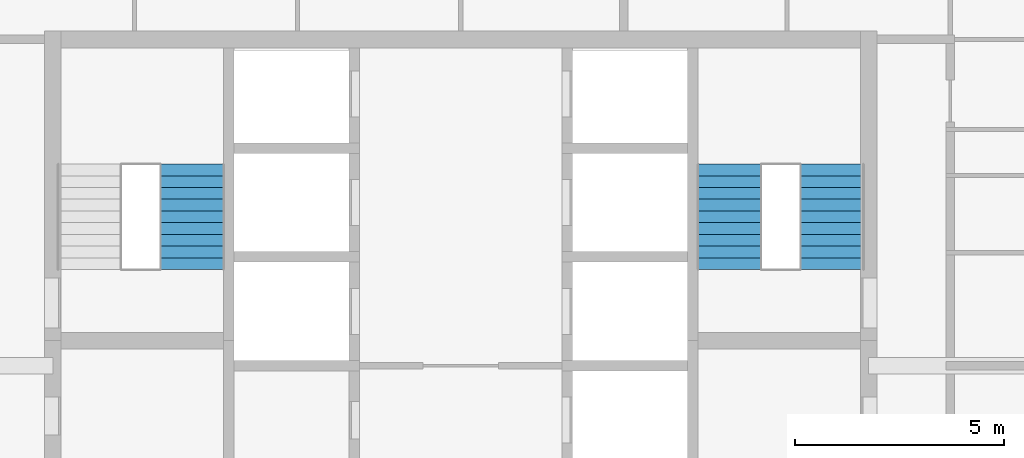
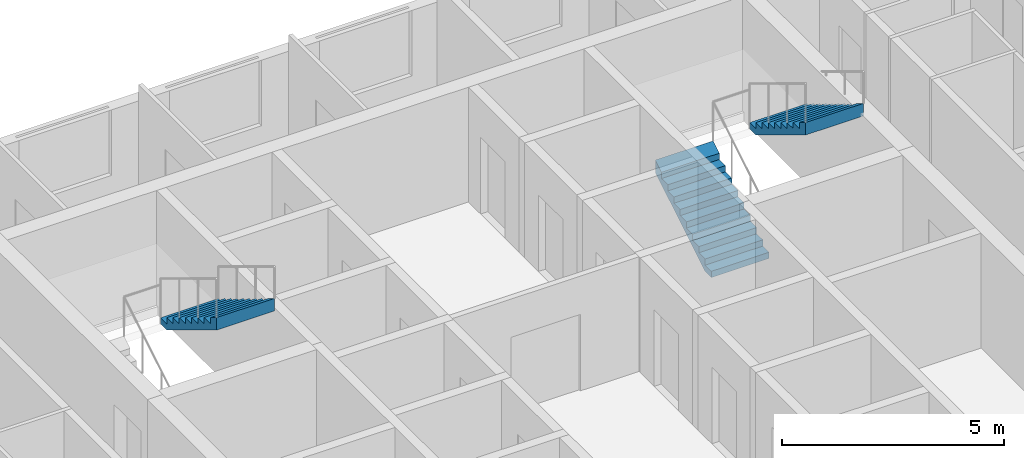
# One storey, part 14 of 17: 3 stair flights, 2 elements without a shape of their own.
"""IFC4 building model written with IfcOpenShell, lengths in metres."""

from ifc_helpers import new_model, si_unit, direction, frame, origin, place, context, subcontext, project, spatial, triangles, material, type_object, element, aggregate, save


model = new_model("IFC4")

# Units and contexts
model_context = context("Model", 3, precision=1e-05, world=origin(), true_north=direction((0.0, 1.0)))
body_context = subcontext(model_context, "Body", "Model", "MODEL_VIEW")
ifc_project = project(units=[si_unit("LENGTHUNIT", "METRE"), si_unit("AREAUNIT", "SQUARE_METRE"), si_unit("VOLUMEUNIT", "CUBIC_METRE"), si_unit("PLANEANGLEUNIT", "RADIAN"), si_unit("MASSUNIT", "GRAM", prefix="KILO")], contexts=[model_context])

# Site, building, storey
site_placement = place(None, origin())
site = spatial("IfcSite", under=ifc_project, at=site_placement, CompositionType="ELEMENT")
building_placement = place(site_placement, origin())
building = spatial("IfcBuilding", under=site, at=building_placement, Name="Ludao Terraces", CompositionType="ELEMENT")
storey_placement = place(building_placement, frame((0.0, 0.0, 231.300048828125)))
storey = spatial("IfcBuildingStorey", under=building, at=storey_placement, Name="L63", CompositionType="ELEMENT", Elevation=231.300048828125)

# Stair, stair flight
ifc_material = material(Name="Concrete C40", Category="concrete")
stair_type = type_object("IfcStairType", Name="INT Stair", PredefinedType="HALF_TURN_STAIR", material=ifc_material)
stair_1_placement = place(storey_placement, origin())
stair_1 = element("IfcStair", 1, at=stair_1_placement, inside=storey, type_object=stair_type, Name="EXIT STAIR 1", PredefinedType="HALF_TURN_STAIR")
stair_flight_type = type_object("IfcStairFlightType", Name="INT Stair flight", PredefinedType="STRAIGHT", material=ifc_material)
stair_flight_1_placement = place(storey_placement, frame((78.574951171875, 81.52001953125, 1.699951171875), z_axis=(0.0, 0.0, 1.0), x_axis=(0.0, -1.0, 0.0)))
stair_flight_1 = element("IfcStairFlight", 2, at=stair_flight_1_placement, type_object=stair_flight_type, Name="ST1 flight 2", NumberOfRisers=10, NumberOfTreads=9, PredefinedType="STRAIGHT", RiserHeight=0.17, TreadLength=0.28, context=body_context, shape_type="Tessellation", body=[
    triangles([(0.0, -0.75, 0.0), (0.0, -0.5, 0.0), (0.0, -0.25, 0.0), (0.0, 0.0, 0.0), (0.0, 0.25, 0.0), (0.0, 0.5, 0.0), (0.0, 0.75, 0.0), (0.0, -0.75, 0.169921875), (0.0, -0.5, 0.169921875), (0.0, -0.25, 0.169921875), (0.0, 0.0, 0.169921875), (0.0, 0.25, 0.169921875), (0.0, 0.5, 0.169921875), (0.0, 0.75, 0.169921875), (0.280029296875, -0.75, 0.169921875), (0.280029296875, -0.5, 0.169921875), (0.280029296875, -0.25, 0.169921875), (0.280029296875, 0.0, 0.169921875), (0.280029296875, 0.25, 0.169921875), (0.280029296875, 0.5, 0.169921875), (0.280029296875, 0.75, 0.169921875), (0.280029296875, -0.75, 0.340087890625), (0.280029296875, -0.5, 0.340087890625), (0.280029296875, -0.25, 0.340087890625), (0.280029296875, 0.0, 0.340087890625), (0.280029296875, 0.25, 0.340087890625), (0.280029296875, 0.5, 0.340087890625), (0.280029296875, 0.75, 0.340087890625), (0.56005859375, -0.75, 0.340087890625), (0.56005859375, -0.5, 0.340087890625), (0.56005859375, -0.25, 0.340087890625), (0.56005859375, 0.0, 0.340087890625), (0.56005859375, 0.25, 0.340087890625), (0.56005859375, 0.5, 0.340087890625), (0.56005859375, 0.75, 0.340087890625), (0.56005859375, -0.75, 0.510009765625), (0.56005859375, -0.5, 0.510009765625), (0.56005859375, -0.25, 0.510009765625), (0.56005859375, 0.0, 0.510009765625), (0.56005859375, 0.25, 0.510009765625), (0.56005859375, 0.5, 0.510009765625), (0.56005859375, 0.75, 0.510009765625), (0.840087890625, -0.75, 0.510009765625), (0.840087890625, -0.5, 0.510009765625), (0.840087890625, -0.25, 0.510009765625), (0.840087890625, 0.0, 0.510009765625), (0.840087890625, 0.25, 0.510009765625), (0.840087890625, 0.5, 0.510009765625), (0.840087890625, 0.75, 0.510009765625), (0.840087890625, -0.75, 0.679931640625), (0.840087890625, -0.5, 0.679931640625), (0.840087890625, -0.25, 0.679931640625), (0.840087890625, 0.0, 0.679931640625), (0.840087890625, 0.25, 0.679931640625), (0.840087890625, 0.5, 0.679931640625), (0.840087890625, 0.75, 0.679931640625), (1.1201171875, -0.75, 0.679931640625), (1.1201171875, -0.5, 0.679931640625), (1.1201171875, -0.25, 0.679931640625), (1.1201171875, 0.0, 0.679931640625), (1.1201171875, 0.25, 0.679931640625), (1.1201171875, 0.5, 0.679931640625), (1.1201171875, 0.75, 0.679931640625), (1.1201171875, -0.75, 0.85009765625), (1.1201171875, -0.5, 0.85009765625), (1.1201171875, -0.25, 0.85009765625), (1.1201171875, 0.0, 0.85009765625), (1.1201171875, 0.25, 0.85009765625), (1.1201171875, 0.5, 0.85009765625), (1.1201171875, 0.75, 0.85009765625), (1.39990234375, -0.75, 0.85009765625), (1.39990234375, -0.5, 0.85009765625), (1.39990234375, -0.25, 0.85009765625), (1.39990234375, 0.0, 0.85009765625), (1.39990234375, 0.25, 0.85009765625), (1.39990234375, 0.5, 0.85009765625), (1.39990234375, 0.75, 0.85009765625), (1.39990234375, -0.75, 1.02001953125), (1.39990234375, -0.5, 1.02001953125), (1.39990234375, -0.25, 1.02001953125), (1.39990234375, 0.0, 1.02001953125), (1.39990234375, 0.25, 1.02001953125), (1.39990234375, 0.5, 1.02001953125), (1.39990234375, 0.75, 1.02001953125), (1.679931640625, -0.75, 1.02001953125), (1.679931640625, -0.5, 1.02001953125), (1.679931640625, -0.25, 1.02001953125), (1.679931640625, 0.0, 1.02001953125), (1.679931640625, 0.25, 1.02001953125), (1.679931640625, 0.5, 1.02001953125), (1.679931640625, 0.75, 1.02001953125), (1.679931640625, -0.75, 1.18994140625), (1.679931640625, -0.5, 1.18994140625), (1.679931640625, -0.25, 1.18994140625), (1.679931640625, 0.0, 1.18994140625), (1.679931640625, 0.25, 1.18994140625), (1.679931640625, 0.5, 1.18994140625), (1.679931640625, 0.75, 1.18994140625), (1.9599609375, -0.75, 1.18994140625), (1.9599609375, -0.5, 1.18994140625), (1.9599609375, -0.25, 1.18994140625), (1.9599609375, 0.0, 1.18994140625), (1.9599609375, 0.25, 1.18994140625), (1.9599609375, 0.5, 1.18994140625), (1.9599609375, 0.75, 1.18994140625), (1.9599609375, -0.75, 1.360107421875), (1.9599609375, -0.5, 1.360107421875), (1.9599609375, -0.25, 1.360107421875), (1.9599609375, 0.0, 1.360107421875), (1.9599609375, 0.25, 1.360107421875), (1.9599609375, 0.5, 1.360107421875), (1.9599609375, 0.75, 1.360107421875), (2.239990234375, -0.75, 1.360107421875), (2.239990234375, -0.5, 1.360107421875), (2.239990234375, -0.25, 1.360107421875), (2.239990234375, 0.0, 1.360107421875), (2.239990234375, 0.25, 1.360107421875), (2.239990234375, 0.5, 1.360107421875), (2.239990234375, 0.75, 1.360107421875), (2.239990234375, -0.75, 1.530029296875), (2.239990234375, -0.5, 1.530029296875), (2.239990234375, -0.25, 1.530029296875), (2.239990234375, 0.0, 1.530029296875), (2.239990234375, 0.25, 1.530029296875), (2.239990234375, 0.5, 1.530029296875), (2.239990234375, 0.75, 1.530029296875), (2.52001953125, -0.75, 1.699951171875), (2.52001953125, -0.5, 1.699951171875), (2.52001953125, -0.25, 1.699951171875), (2.52001953125, 0.0, 1.699951171875), (2.52001953125, 0.25, 1.699951171875), (2.52001953125, 0.5, 1.699951171875), (2.52001953125, 0.75, 1.699951171875), (2.52001953125, -0.75, 1.354736328125), (2.52001953125, -0.5, 1.354736328125), (2.52001953125, -0.25, 1.354736328125), (2.52001953125, 0.0, 1.354736328125), (2.52001953125, 0.25, 1.354736328125), (2.52001953125, 0.5, 1.354736328125), (2.52001953125, 0.75, 1.354736328125), (0.288818359375, -0.75, 0.0), (0.288818359375, -0.5, 0.0), (0.288818359375, -0.25, 0.0), (0.288818359375, 0.0, 0.0), (0.288818359375, 0.25, 0.0), (0.288818359375, 0.5, 0.0), (0.288818359375, 0.75, 0.0)], [[1, 141, 134], [7, 140, 147], [134, 127, 120], [140, 126, 133], [134, 120, 113], [140, 119, 126], [134, 113, 106], [140, 112, 119], [134, 106, 99], [140, 105, 112], [99, 92, 85], [105, 91, 98], [134, 99, 85], [140, 91, 105], [85, 78, 71], [91, 77, 84], [134, 85, 71], [140, 77, 91], [71, 64, 57], [77, 63, 70], [134, 71, 57], [140, 63, 77], [57, 50, 43], [63, 49, 56], [134, 57, 43], [140, 49, 63], [43, 36, 29], [49, 35, 42], [134, 43, 29], [140, 35, 49], [29, 22, 15], [35, 21, 28], [134, 29, 15], [140, 21, 35], [1, 134, 15], [7, 21, 140], [15, 8, 1], [21, 7, 14], [1, 9, 2], [1, 8, 9], [2, 10, 3], [2, 9, 10], [3, 11, 4], [3, 10, 11], [4, 12, 5], [4, 11, 12], [5, 13, 6], [5, 12, 13], [6, 14, 7], [6, 13, 14], [8, 16, 9], [8, 15, 16], [9, 17, 10], [9, 16, 17], [10, 18, 11], [10, 17, 18], [11, 19, 12], [11, 18, 19], [12, 20, 13], [12, 19, 20], [13, 21, 14], [13, 20, 21], [15, 23, 16], [15, 22, 23], [16, 24, 17], [16, 23, 24], [17, 25, 18], [17, 24, 25], [18, 26, 19], [18, 25, 26], [19, 27, 20], [19, 26, 27], [20, 28, 21], [20, 27, 28], [22, 30, 23], [22, 29, 30], [23, 31, 24], [23, 30, 31], [24, 32, 25], [24, 31, 32], [25, 33, 26], [25, 32, 33], [26, 34, 27], [26, 33, 34], [27, 35, 28], [27, 34, 35], [29, 37, 30], [29, 36, 37], [30, 38, 31], [30, 37, 38], [31, 39, 32], [31, 38, 39], [32, 40, 33], [32, 39, 40], [33, 41, 34], [33, 40, 41], [34, 42, 35], [34, 41, 42], [36, 44, 37], [36, 43, 44], [37, 45, 38], [37, 44, 45], [38, 46, 39], [38, 45, 46], [39, 47, 40], [39, 46, 47], [40, 48, 41], [40, 47, 48], [41, 49, 42], [41, 48, 49], [43, 51, 44], [43, 50, 51], [44, 52, 45], [44, 51, 52], [45, 53, 46], [45, 52, 53], [46, 54, 47], [46, 53, 54], [47, 55, 48], [47, 54, 55], [48, 56, 49], [48, 55, 56], [50, 58, 51], [50, 57, 58], [51, 59, 52], [51, 58, 59], [52, 60, 53], [52, 59, 60], [53, 61, 54], [53, 60, 61], [54, 62, 55], [54, 61, 62], [55, 63, 56], [55, 62, 63], [57, 65, 58], [57, 64, 65], [58, 66, 59], [58, 65, 66], [59, 67, 60], [59, 66, 67], [60, 68, 61], [60, 67, 68], [61, 69, 62], [61, 68, 69], [62, 70, 63], [62, 69, 70], [64, 72, 65], [64, 71, 72], [65, 73, 66], [65, 72, 73], [66, 74, 67], [66, 73, 74], [67, 75, 68], [67, 74, 75], [68, 76, 69], [68, 75, 76], [69, 77, 70], [69, 76, 77], [71, 79, 72], [71, 78, 79], [72, 80, 73], [72, 79, 80], [73, 81, 74], [73, 80, 81], [74, 82, 75], [74, 81, 82], [75, 83, 76], [75, 82, 83], [76, 84, 77], [76, 83, 84], [78, 86, 79], [78, 85, 86], [79, 87, 80], [79, 86, 87], [80, 88, 81], [80, 87, 88], [81, 89, 82], [81, 88, 89], [82, 90, 83], [82, 89, 90], [83, 91, 84], [83, 90, 91], [85, 93, 86], [85, 92, 93], [86, 94, 87], [86, 93, 94], [87, 95, 88], [87, 94, 95], [88, 96, 89], [88, 95, 96], [89, 97, 90], [89, 96, 97], [90, 98, 91], [90, 97, 98], [92, 100, 93], [92, 99, 100], [93, 101, 94], [93, 100, 101], [94, 102, 95], [94, 101, 102], [95, 103, 96], [95, 102, 103], [96, 104, 97], [96, 103, 104], [97, 105, 98], [97, 104, 105], [99, 107, 100], [99, 106, 107], [100, 108, 101], [100, 107, 108], [101, 109, 102], [101, 108, 109], [102, 110, 103], [102, 109, 110], [103, 111, 104], [103, 110, 111], [104, 112, 105], [104, 111, 112], [106, 114, 107], [106, 113, 114], [107, 115, 108], [107, 114, 115], [108, 116, 109], [108, 115, 116], [109, 117, 110], [109, 116, 117], [110, 118, 111], [110, 117, 118], [111, 119, 112], [111, 118, 119], [113, 121, 114], [113, 120, 121], [114, 122, 115], [114, 121, 122], [115, 123, 116], [115, 122, 123], [116, 124, 117], [116, 123, 124], [117, 125, 118], [117, 124, 125], [118, 126, 119], [118, 125, 126], [120, 128, 121], [120, 127, 128], [121, 129, 122], [121, 128, 129], [122, 130, 123], [122, 129, 130], [123, 131, 124], [123, 130, 131], [124, 132, 125], [124, 131, 132], [125, 133, 126], [125, 132, 133], [127, 135, 128], [127, 134, 135], [128, 136, 129], [128, 135, 136], [129, 137, 130], [129, 136, 137], [130, 138, 131], [130, 137, 138], [131, 139, 132], [131, 138, 139], [132, 140, 133], [132, 139, 140], [134, 142, 135], [134, 141, 142], [135, 143, 136], [135, 142, 143], [136, 144, 137], [136, 143, 144], [137, 145, 138], [137, 144, 145], [138, 146, 139], [138, 145, 146], [139, 147, 140], [139, 146, 147], [141, 2, 142], [141, 1, 2], [142, 3, 143], [142, 2, 3], [143, 4, 144], [143, 3, 4], [144, 5, 145], [144, 4, 5], [145, 6, 146], [145, 5, 6], [146, 7, 147], [146, 6, 7]], closed=True),
])
aggregate(stair_1, [stair_flight_1])

# Stair, stair flights
stair_2_placement = place(storey_placement, origin())
stair_2 = element("IfcStair", 3, at=stair_2_placement, inside=storey, type_object=stair_type, Name="EXIT STAIR 2", PredefinedType="HALF_TURN_STAIR")
stair_flight_2_placement = place(storey_placement, frame((91.425048828125, 79.0, 0.0), z_axis=(0.0, 0.0, 1.0), x_axis=(0.0, 1.0, 0.0)))
stair_flight_2 = element("IfcStairFlight", 4, at=stair_flight_2_placement, type_object=stair_flight_type, Name="ST2 flight 1", NumberOfRisers=10, NumberOfTreads=9, PredefinedType="STRAIGHT", RiserHeight=0.17, TreadLength=0.28, context=body_context, shape_type="Tessellation", body=[
    triangles([(0.0, -0.75, 0.0), (0.0, -0.5, 0.0), (0.0, -0.25, 0.0), (0.0, 0.0, 0.0), (0.0, 0.25, 0.0), (0.0, 0.5, 0.0), (0.0, 0.75, 0.0), (0.0, -0.75, 0.169921875), (0.0, -0.5, 0.169921875), (0.0, -0.25, 0.169921875), (0.0, 0.0, 0.169921875), (0.0, 0.25, 0.169921875), (0.0, 0.5, 0.169921875), (0.0, 0.75, 0.169921875), (0.280029296875, -0.75, 0.169921875), (0.280029296875, -0.5, 0.169921875), (0.280029296875, -0.25, 0.169921875), (0.280029296875, 0.0, 0.169921875), (0.280029296875, 0.25, 0.169921875), (0.280029296875, 0.5, 0.169921875), (0.280029296875, 0.75, 0.169921875), (0.280029296875, -0.75, 0.340087890625), (0.280029296875, -0.5, 0.340087890625), (0.280029296875, -0.25, 0.340087890625), (0.280029296875, 0.0, 0.340087890625), (0.280029296875, 0.25, 0.340087890625), (0.280029296875, 0.5, 0.340087890625), (0.280029296875, 0.75, 0.340087890625), (0.56005859375, -0.75, 0.340087890625), (0.56005859375, -0.5, 0.340087890625), (0.56005859375, -0.25, 0.340087890625), (0.56005859375, 0.0, 0.340087890625), (0.56005859375, 0.25, 0.340087890625), (0.56005859375, 0.5, 0.340087890625), (0.56005859375, 0.75, 0.340087890625), (0.56005859375, -0.75, 0.510009765625), (0.56005859375, -0.5, 0.510009765625), (0.56005859375, -0.25, 0.510009765625), (0.56005859375, 0.0, 0.510009765625), (0.56005859375, 0.25, 0.510009765625), (0.56005859375, 0.5, 0.510009765625), (0.56005859375, 0.75, 0.510009765625), (0.840087890625, -0.75, 0.510009765625), (0.840087890625, -0.5, 0.510009765625), (0.840087890625, -0.25, 0.510009765625), (0.840087890625, 0.0, 0.510009765625), (0.840087890625, 0.25, 0.510009765625), (0.840087890625, 0.5, 0.510009765625), (0.840087890625, 0.75, 0.510009765625), (0.840087890625, -0.75, 0.679931640625), (0.840087890625, -0.5, 0.679931640625), (0.840087890625, -0.25, 0.679931640625), (0.840087890625, 0.0, 0.679931640625), (0.840087890625, 0.25, 0.679931640625), (0.840087890625, 0.5, 0.679931640625), (0.840087890625, 0.75, 0.679931640625), (1.1201171875, -0.75, 0.679931640625), (1.1201171875, -0.5, 0.679931640625), (1.1201171875, -0.25, 0.679931640625), (1.1201171875, 0.0, 0.679931640625), (1.1201171875, 0.25, 0.679931640625), (1.1201171875, 0.5, 0.679931640625), (1.1201171875, 0.75, 0.679931640625), (1.1201171875, -0.75, 0.85009765625), (1.1201171875, -0.5, 0.85009765625), (1.1201171875, -0.25, 0.85009765625), (1.1201171875, 0.0, 0.85009765625), (1.1201171875, 0.25, 0.85009765625), (1.1201171875, 0.5, 0.85009765625), (1.1201171875, 0.75, 0.85009765625), (1.39990234375, -0.75, 0.85009765625), (1.39990234375, -0.5, 0.85009765625), (1.39990234375, -0.25, 0.85009765625), (1.39990234375, 0.0, 0.85009765625), (1.39990234375, 0.25, 0.85009765625), (1.39990234375, 0.5, 0.85009765625), (1.39990234375, 0.75, 0.85009765625), (1.39990234375, -0.75, 1.02001953125), (1.39990234375, -0.5, 1.02001953125), (1.39990234375, -0.25, 1.02001953125), (1.39990234375, 0.0, 1.02001953125), (1.39990234375, 0.25, 1.02001953125), (1.39990234375, 0.5, 1.02001953125), (1.39990234375, 0.75, 1.02001953125), (1.679931640625, -0.75, 1.02001953125), (1.679931640625, -0.5, 1.02001953125), (1.679931640625, -0.25, 1.02001953125), (1.679931640625, 0.0, 1.02001953125), (1.679931640625, 0.25, 1.02001953125), (1.679931640625, 0.5, 1.02001953125), (1.679931640625, 0.75, 1.02001953125), (1.679931640625, -0.75, 1.18994140625), (1.679931640625, -0.5, 1.18994140625), (1.679931640625, -0.25, 1.18994140625), (1.679931640625, 0.0, 1.18994140625), (1.679931640625, 0.25, 1.18994140625), (1.679931640625, 0.5, 1.18994140625), (1.679931640625, 0.75, 1.18994140625), (1.9599609375, -0.75, 1.18994140625), (1.9599609375, -0.5, 1.18994140625), (1.9599609375, -0.25, 1.18994140625), (1.9599609375, 0.0, 1.18994140625), (1.9599609375, 0.25, 1.18994140625), (1.9599609375, 0.5, 1.18994140625), (1.9599609375, 0.75, 1.18994140625), (1.9599609375, -0.75, 1.360107421875), (1.9599609375, -0.5, 1.360107421875), (1.9599609375, -0.25, 1.360107421875), (1.9599609375, 0.0, 1.360107421875), (1.9599609375, 0.25, 1.360107421875), (1.9599609375, 0.5, 1.360107421875), (1.9599609375, 0.75, 1.360107421875), (2.239990234375, -0.75, 1.360107421875), (2.239990234375, -0.5, 1.360107421875), (2.239990234375, -0.25, 1.360107421875), (2.239990234375, 0.0, 1.360107421875), (2.239990234375, 0.25, 1.360107421875), (2.239990234375, 0.5, 1.360107421875), (2.239990234375, 0.75, 1.360107421875), (2.239990234375, -0.75, 1.530029296875), (2.239990234375, -0.5, 1.530029296875), (2.239990234375, -0.25, 1.530029296875), (2.239990234375, 0.0, 1.530029296875), (2.239990234375, 0.25, 1.530029296875), (2.239990234375, 0.5, 1.530029296875), (2.239990234375, 0.75, 1.530029296875), (2.52001953125, -0.75, 1.699951171875), (2.52001953125, -0.5, 1.699951171875), (2.52001953125, -0.25, 1.699951171875), (2.52001953125, 0.0, 1.699951171875), (2.52001953125, 0.25, 1.699951171875), (2.52001953125, 0.5, 1.699951171875), (2.52001953125, 0.75, 1.699951171875), (2.52001953125, -0.75, 1.354736328125), (2.52001953125, -0.5, 1.354736328125), (2.52001953125, -0.25, 1.354736328125), (2.52001953125, 0.0, 1.354736328125), (2.52001953125, 0.25, 1.354736328125), (2.52001953125, 0.5, 1.354736328125), (2.52001953125, 0.75, 1.354736328125), (0.288818359375, -0.75, 0.0), (0.288818359375, -0.5, 0.0), (0.288818359375, -0.25, 0.0), (0.288818359375, 0.0, 0.0), (0.288818359375, 0.25, 0.0), (0.288818359375, 0.5, 0.0), (0.288818359375, 0.75, 0.0)], [[1, 141, 134], [7, 140, 147], [134, 127, 120], [140, 126, 133], [134, 120, 113], [140, 119, 126], [134, 113, 106], [140, 112, 119], [134, 106, 99], [140, 105, 112], [99, 92, 85], [105, 91, 98], [134, 99, 85], [140, 91, 105], [85, 78, 71], [91, 77, 84], [134, 85, 71], [140, 77, 91], [71, 64, 57], [77, 63, 70], [134, 71, 57], [140, 63, 77], [57, 50, 43], [63, 49, 56], [134, 57, 43], [140, 49, 63], [43, 36, 29], [49, 35, 42], [134, 43, 29], [140, 35, 49], [29, 22, 15], [35, 21, 28], [134, 29, 15], [140, 21, 35], [1, 134, 15], [7, 21, 140], [15, 8, 1], [21, 7, 14], [1, 9, 2], [1, 8, 9], [2, 10, 3], [2, 9, 10], [3, 11, 4], [3, 10, 11], [4, 12, 5], [4, 11, 12], [5, 13, 6], [5, 12, 13], [6, 14, 7], [6, 13, 14], [8, 16, 9], [8, 15, 16], [9, 17, 10], [9, 16, 17], [10, 18, 11], [10, 17, 18], [11, 19, 12], [11, 18, 19], [12, 20, 13], [12, 19, 20], [13, 21, 14], [13, 20, 21], [15, 23, 16], [15, 22, 23], [16, 24, 17], [16, 23, 24], [17, 25, 18], [17, 24, 25], [18, 26, 19], [18, 25, 26], [19, 27, 20], [19, 26, 27], [20, 28, 21], [20, 27, 28], [22, 30, 23], [22, 29, 30], [23, 31, 24], [23, 30, 31], [24, 32, 25], [24, 31, 32], [25, 33, 26], [25, 32, 33], [26, 34, 27], [26, 33, 34], [27, 35, 28], [27, 34, 35], [29, 37, 30], [29, 36, 37], [30, 38, 31], [30, 37, 38], [31, 39, 32], [31, 38, 39], [32, 40, 33], [32, 39, 40], [33, 41, 34], [33, 40, 41], [34, 42, 35], [34, 41, 42], [36, 44, 37], [36, 43, 44], [37, 45, 38], [37, 44, 45], [38, 46, 39], [38, 45, 46], [39, 47, 40], [39, 46, 47], [40, 48, 41], [40, 47, 48], [41, 49, 42], [41, 48, 49], [43, 51, 44], [43, 50, 51], [44, 52, 45], [44, 51, 52], [45, 53, 46], [45, 52, 53], [46, 54, 47], [46, 53, 54], [47, 55, 48], [47, 54, 55], [48, 56, 49], [48, 55, 56], [50, 58, 51], [50, 57, 58], [51, 59, 52], [51, 58, 59], [52, 60, 53], [52, 59, 60], [53, 61, 54], [53, 60, 61], [54, 62, 55], [54, 61, 62], [55, 63, 56], [55, 62, 63], [57, 65, 58], [57, 64, 65], [58, 66, 59], [58, 65, 66], [59, 67, 60], [59, 66, 67], [60, 68, 61], [60, 67, 68], [61, 69, 62], [61, 68, 69], [62, 70, 63], [62, 69, 70], [64, 72, 65], [64, 71, 72], [65, 73, 66], [65, 72, 73], [66, 74, 67], [66, 73, 74], [67, 75, 68], [67, 74, 75], [68, 76, 69], [68, 75, 76], [69, 77, 70], [69, 76, 77], [71, 79, 72], [71, 78, 79], [72, 80, 73], [72, 79, 80], [73, 81, 74], [73, 80, 81], [74, 82, 75], [74, 81, 82], [75, 83, 76], [75, 82, 83], [76, 84, 77], [76, 83, 84], [78, 86, 79], [78, 85, 86], [79, 87, 80], [79, 86, 87], [80, 88, 81], [80, 87, 88], [81, 89, 82], [81, 88, 89], [82, 90, 83], [82, 89, 90], [83, 91, 84], [83, 90, 91], [85, 93, 86], [85, 92, 93], [86, 94, 87], [86, 93, 94], [87, 95, 88], [87, 94, 95], [88, 96, 89], [88, 95, 96], [89, 97, 90], [89, 96, 97], [90, 98, 91], [90, 97, 98], [92, 100, 93], [92, 99, 100], [93, 101, 94], [93, 100, 101], [94, 102, 95], [94, 101, 102], [95, 103, 96], [95, 102, 103], [96, 104, 97], [96, 103, 104], [97, 105, 98], [97, 104, 105], [99, 107, 100], [99, 106, 107], [100, 108, 101], [100, 107, 108], [101, 109, 102], [101, 108, 109], [102, 110, 103], [102, 109, 110], [103, 111, 104], [103, 110, 111], [104, 112, 105], [104, 111, 112], [106, 114, 107], [106, 113, 114], [107, 115, 108], [107, 114, 115], [108, 116, 109], [108, 115, 116], [109, 117, 110], [109, 116, 117], [110, 118, 111], [110, 117, 118], [111, 119, 112], [111, 118, 119], [113, 121, 114], [113, 120, 121], [114, 122, 115], [114, 121, 122], [115, 123, 116], [115, 122, 123], [116, 124, 117], [116, 123, 124], [117, 125, 118], [117, 124, 125], [118, 126, 119], [118, 125, 126], [120, 128, 121], [120, 127, 128], [121, 129, 122], [121, 128, 129], [122, 130, 123], [122, 129, 130], [123, 131, 124], [123, 130, 131], [124, 132, 125], [124, 131, 132], [125, 133, 126], [125, 132, 133], [127, 135, 128], [127, 134, 135], [128, 136, 129], [128, 135, 136], [129, 137, 130], [129, 136, 137], [130, 138, 131], [130, 137, 138], [131, 139, 132], [131, 138, 139], [132, 140, 133], [132, 139, 140], [134, 142, 135], [134, 141, 142], [135, 143, 136], [135, 142, 143], [136, 144, 137], [136, 143, 144], [137, 145, 138], [137, 144, 145], [138, 146, 139], [138, 145, 146], [139, 147, 140], [139, 146, 147], [141, 2, 142], [141, 1, 2], [142, 3, 143], [142, 2, 3], [143, 4, 144], [143, 3, 4], [144, 5, 145], [144, 4, 5], [145, 6, 146], [145, 5, 6], [146, 7, 147], [146, 6, 7]], closed=True),
])
stair_flight_3_placement = place(storey_placement, frame((93.875, 81.52001953125, 1.699951171875), z_axis=(0.0, 0.0, 1.0), x_axis=(0.0, -1.0, 0.0)))
stair_flight_3 = element("IfcStairFlight", 5, at=stair_flight_3_placement, type_object=stair_flight_type, Name="ST2 flight 2", NumberOfRisers=10, NumberOfTreads=9, PredefinedType="STRAIGHT", RiserHeight=0.17, TreadLength=0.28, context=body_context, shape_type="Tessellation", body=[
    triangles([(0.0, -0.75, 0.0), (0.0, -0.5, 0.0), (0.0, -0.25, 0.0), (0.0, 0.0, 0.0), (0.0, 0.25, 0.0), (0.0, 0.5, 0.0), (0.0, 0.75, 0.0), (0.0, -0.75, 0.169921875), (0.0, -0.5, 0.169921875), (0.0, -0.25, 0.169921875), (0.0, 0.0, 0.169921875), (0.0, 0.25, 0.169921875), (0.0, 0.5, 0.169921875), (0.0, 0.75, 0.169921875), (0.280029296875, -0.75, 0.169921875), (0.280029296875, -0.5, 0.169921875), (0.280029296875, -0.25, 0.169921875), (0.280029296875, 0.0, 0.169921875), (0.280029296875, 0.25, 0.169921875), (0.280029296875, 0.5, 0.169921875), (0.280029296875, 0.75, 0.169921875), (0.280029296875, -0.75, 0.340087890625), (0.280029296875, -0.5, 0.340087890625), (0.280029296875, -0.25, 0.340087890625), (0.280029296875, 0.0, 0.340087890625), (0.280029296875, 0.25, 0.340087890625), (0.280029296875, 0.5, 0.340087890625), (0.280029296875, 0.75, 0.340087890625), (0.56005859375, -0.75, 0.340087890625), (0.56005859375, -0.5, 0.340087890625), (0.56005859375, -0.25, 0.340087890625), (0.56005859375, 0.0, 0.340087890625), (0.56005859375, 0.25, 0.340087890625), (0.56005859375, 0.5, 0.340087890625), (0.56005859375, 0.75, 0.340087890625), (0.56005859375, -0.75, 0.510009765625), (0.56005859375, -0.5, 0.510009765625), (0.56005859375, -0.25, 0.510009765625), (0.56005859375, 0.0, 0.510009765625), (0.56005859375, 0.25, 0.510009765625), (0.56005859375, 0.5, 0.510009765625), (0.56005859375, 0.75, 0.510009765625), (0.840087890625, -0.75, 0.510009765625), (0.840087890625, -0.5, 0.510009765625), (0.840087890625, -0.25, 0.510009765625), (0.840087890625, 0.0, 0.510009765625), (0.840087890625, 0.25, 0.510009765625), (0.840087890625, 0.5, 0.510009765625), (0.840087890625, 0.75, 0.510009765625), (0.840087890625, -0.75, 0.679931640625), (0.840087890625, -0.5, 0.679931640625), (0.840087890625, -0.25, 0.679931640625), (0.840087890625, 0.0, 0.679931640625), (0.840087890625, 0.25, 0.679931640625), (0.840087890625, 0.5, 0.679931640625), (0.840087890625, 0.75, 0.679931640625), (1.1201171875, -0.75, 0.679931640625), (1.1201171875, -0.5, 0.679931640625), (1.1201171875, -0.25, 0.679931640625), (1.1201171875, 0.0, 0.679931640625), (1.1201171875, 0.25, 0.679931640625), (1.1201171875, 0.5, 0.679931640625), (1.1201171875, 0.75, 0.679931640625), (1.1201171875, -0.75, 0.85009765625), (1.1201171875, -0.5, 0.85009765625), (1.1201171875, -0.25, 0.85009765625), (1.1201171875, 0.0, 0.85009765625), (1.1201171875, 0.25, 0.85009765625), (1.1201171875, 0.5, 0.85009765625), (1.1201171875, 0.75, 0.85009765625), (1.39990234375, -0.75, 0.85009765625), (1.39990234375, -0.5, 0.85009765625), (1.39990234375, -0.25, 0.85009765625), (1.39990234375, 0.0, 0.85009765625), (1.39990234375, 0.25, 0.85009765625), (1.39990234375, 0.5, 0.85009765625), (1.39990234375, 0.75, 0.85009765625), (1.39990234375, -0.75, 1.02001953125), (1.39990234375, -0.5, 1.02001953125), (1.39990234375, -0.25, 1.02001953125), (1.39990234375, 0.0, 1.02001953125), (1.39990234375, 0.25, 1.02001953125), (1.39990234375, 0.5, 1.02001953125), (1.39990234375, 0.75, 1.02001953125), (1.679931640625, -0.75, 1.02001953125), (1.679931640625, -0.5, 1.02001953125), (1.679931640625, -0.25, 1.02001953125), (1.679931640625, 0.0, 1.02001953125), (1.679931640625, 0.25, 1.02001953125), (1.679931640625, 0.5, 1.02001953125), (1.679931640625, 0.75, 1.02001953125), (1.679931640625, -0.75, 1.18994140625), (1.679931640625, -0.5, 1.18994140625), (1.679931640625, -0.25, 1.18994140625), (1.679931640625, 0.0, 1.18994140625), (1.679931640625, 0.25, 1.18994140625), (1.679931640625, 0.5, 1.18994140625), (1.679931640625, 0.75, 1.18994140625), (1.9599609375, -0.75, 1.18994140625), (1.9599609375, -0.5, 1.18994140625), (1.9599609375, -0.25, 1.18994140625), (1.9599609375, 0.0, 1.18994140625), (1.9599609375, 0.25, 1.18994140625), (1.9599609375, 0.5, 1.18994140625), (1.9599609375, 0.75, 1.18994140625), (1.9599609375, -0.75, 1.360107421875), (1.9599609375, -0.5, 1.360107421875), (1.9599609375, -0.25, 1.360107421875), (1.9599609375, 0.0, 1.360107421875), (1.9599609375, 0.25, 1.360107421875), (1.9599609375, 0.5, 1.360107421875), (1.9599609375, 0.75, 1.360107421875), (2.239990234375, -0.75, 1.360107421875), (2.239990234375, -0.5, 1.360107421875), (2.239990234375, -0.25, 1.360107421875), (2.239990234375, 0.0, 1.360107421875), (2.239990234375, 0.25, 1.360107421875), (2.239990234375, 0.5, 1.360107421875), (2.239990234375, 0.75, 1.360107421875), (2.239990234375, -0.75, 1.530029296875), (2.239990234375, -0.5, 1.530029296875), (2.239990234375, -0.25, 1.530029296875), (2.239990234375, 0.0, 1.530029296875), (2.239990234375, 0.25, 1.530029296875), (2.239990234375, 0.5, 1.530029296875), (2.239990234375, 0.75, 1.530029296875), (2.52001953125, -0.75, 1.699951171875), (2.52001953125, -0.5, 1.699951171875), (2.52001953125, -0.25, 1.699951171875), (2.52001953125, 0.0, 1.699951171875), (2.52001953125, 0.25, 1.699951171875), (2.52001953125, 0.5, 1.699951171875), (2.52001953125, 0.75, 1.699951171875), (2.52001953125, -0.75, 1.354736328125), (2.52001953125, -0.5, 1.354736328125), (2.52001953125, -0.25, 1.354736328125), (2.52001953125, 0.0, 1.354736328125), (2.52001953125, 0.25, 1.354736328125), (2.52001953125, 0.5, 1.354736328125), (2.52001953125, 0.75, 1.354736328125), (0.288818359375, -0.75, 0.0), (0.288818359375, -0.5, 0.0), (0.288818359375, -0.25, 0.0), (0.288818359375, 0.0, 0.0), (0.288818359375, 0.25, 0.0), (0.288818359375, 0.5, 0.0), (0.288818359375, 0.75, 0.0)], [[1, 141, 134], [7, 140, 147], [134, 127, 120], [140, 126, 133], [134, 120, 113], [140, 119, 126], [134, 113, 106], [140, 112, 119], [134, 106, 99], [140, 105, 112], [99, 92, 85], [105, 91, 98], [134, 99, 85], [140, 91, 105], [85, 78, 71], [91, 77, 84], [134, 85, 71], [140, 77, 91], [71, 64, 57], [77, 63, 70], [134, 71, 57], [140, 63, 77], [57, 50, 43], [63, 49, 56], [134, 57, 43], [140, 49, 63], [43, 36, 29], [49, 35, 42], [134, 43, 29], [140, 35, 49], [29, 22, 15], [35, 21, 28], [134, 29, 15], [140, 21, 35], [1, 134, 15], [7, 21, 140], [15, 8, 1], [21, 7, 14], [1, 9, 2], [1, 8, 9], [2, 10, 3], [2, 9, 10], [3, 11, 4], [3, 10, 11], [4, 12, 5], [4, 11, 12], [5, 13, 6], [5, 12, 13], [6, 14, 7], [6, 13, 14], [8, 16, 9], [8, 15, 16], [9, 17, 10], [9, 16, 17], [10, 18, 11], [10, 17, 18], [11, 19, 12], [11, 18, 19], [12, 20, 13], [12, 19, 20], [13, 21, 14], [13, 20, 21], [15, 23, 16], [15, 22, 23], [16, 24, 17], [16, 23, 24], [17, 25, 18], [17, 24, 25], [18, 26, 19], [18, 25, 26], [19, 27, 20], [19, 26, 27], [20, 28, 21], [20, 27, 28], [22, 30, 23], [22, 29, 30], [23, 31, 24], [23, 30, 31], [24, 32, 25], [24, 31, 32], [25, 33, 26], [25, 32, 33], [26, 34, 27], [26, 33, 34], [27, 35, 28], [27, 34, 35], [29, 37, 30], [29, 36, 37], [30, 38, 31], [30, 37, 38], [31, 39, 32], [31, 38, 39], [32, 40, 33], [32, 39, 40], [33, 41, 34], [33, 40, 41], [34, 42, 35], [34, 41, 42], [36, 44, 37], [36, 43, 44], [37, 45, 38], [37, 44, 45], [38, 46, 39], [38, 45, 46], [39, 47, 40], [39, 46, 47], [40, 48, 41], [40, 47, 48], [41, 49, 42], [41, 48, 49], [43, 51, 44], [43, 50, 51], [44, 52, 45], [44, 51, 52], [45, 53, 46], [45, 52, 53], [46, 54, 47], [46, 53, 54], [47, 55, 48], [47, 54, 55], [48, 56, 49], [48, 55, 56], [50, 58, 51], [50, 57, 58], [51, 59, 52], [51, 58, 59], [52, 60, 53], [52, 59, 60], [53, 61, 54], [53, 60, 61], [54, 62, 55], [54, 61, 62], [55, 63, 56], [55, 62, 63], [57, 65, 58], [57, 64, 65], [58, 66, 59], [58, 65, 66], [59, 67, 60], [59, 66, 67], [60, 68, 61], [60, 67, 68], [61, 69, 62], [61, 68, 69], [62, 70, 63], [62, 69, 70], [64, 72, 65], [64, 71, 72], [65, 73, 66], [65, 72, 73], [66, 74, 67], [66, 73, 74], [67, 75, 68], [67, 74, 75], [68, 76, 69], [68, 75, 76], [69, 77, 70], [69, 76, 77], [71, 79, 72], [71, 78, 79], [72, 80, 73], [72, 79, 80], [73, 81, 74], [73, 80, 81], [74, 82, 75], [74, 81, 82], [75, 83, 76], [75, 82, 83], [76, 84, 77], [76, 83, 84], [78, 86, 79], [78, 85, 86], [79, 87, 80], [79, 86, 87], [80, 88, 81], [80, 87, 88], [81, 89, 82], [81, 88, 89], [82, 90, 83], [82, 89, 90], [83, 91, 84], [83, 90, 91], [85, 93, 86], [85, 92, 93], [86, 94, 87], [86, 93, 94], [87, 95, 88], [87, 94, 95], [88, 96, 89], [88, 95, 96], [89, 97, 90], [89, 96, 97], [90, 98, 91], [90, 97, 98], [92, 100, 93], [92, 99, 100], [93, 101, 94], [93, 100, 101], [94, 102, 95], [94, 101, 102], [95, 103, 96], [95, 102, 103], [96, 104, 97], [96, 103, 104], [97, 105, 98], [97, 104, 105], [99, 107, 100], [99, 106, 107], [100, 108, 101], [100, 107, 108], [101, 109, 102], [101, 108, 109], [102, 110, 103], [102, 109, 110], [103, 111, 104], [103, 110, 111], [104, 112, 105], [104, 111, 112], [106, 114, 107], [106, 113, 114], [107, 115, 108], [107, 114, 115], [108, 116, 109], [108, 115, 116], [109, 117, 110], [109, 116, 117], [110, 118, 111], [110, 117, 118], [111, 119, 112], [111, 118, 119], [113, 121, 114], [113, 120, 121], [114, 122, 115], [114, 121, 122], [115, 123, 116], [115, 122, 123], [116, 124, 117], [116, 123, 124], [117, 125, 118], [117, 124, 125], [118, 126, 119], [118, 125, 126], [120, 128, 121], [120, 127, 128], [121, 129, 122], [121, 128, 129], [122, 130, 123], [122, 129, 130], [123, 131, 124], [123, 130, 131], [124, 132, 125], [124, 131, 132], [125, 133, 126], [125, 132, 133], [127, 135, 128], [127, 134, 135], [128, 136, 129], [128, 135, 136], [129, 137, 130], [129, 136, 137], [130, 138, 131], [130, 137, 138], [131, 139, 132], [131, 138, 139], [132, 140, 133], [132, 139, 140], [134, 142, 135], [134, 141, 142], [135, 143, 136], [135, 142, 143], [136, 144, 137], [136, 143, 144], [137, 145, 138], [137, 144, 145], [138, 146, 139], [138, 145, 146], [139, 147, 140], [139, 146, 147], [141, 2, 142], [141, 1, 2], [142, 3, 143], [142, 2, 3], [143, 4, 144], [143, 3, 4], [144, 5, 145], [144, 4, 5], [145, 6, 146], [145, 5, 6], [146, 7, 147], [146, 6, 7]], closed=True),
])
aggregate(stair_2, [stair_flight_2, stair_flight_3])

save(model, "model.ifc")
